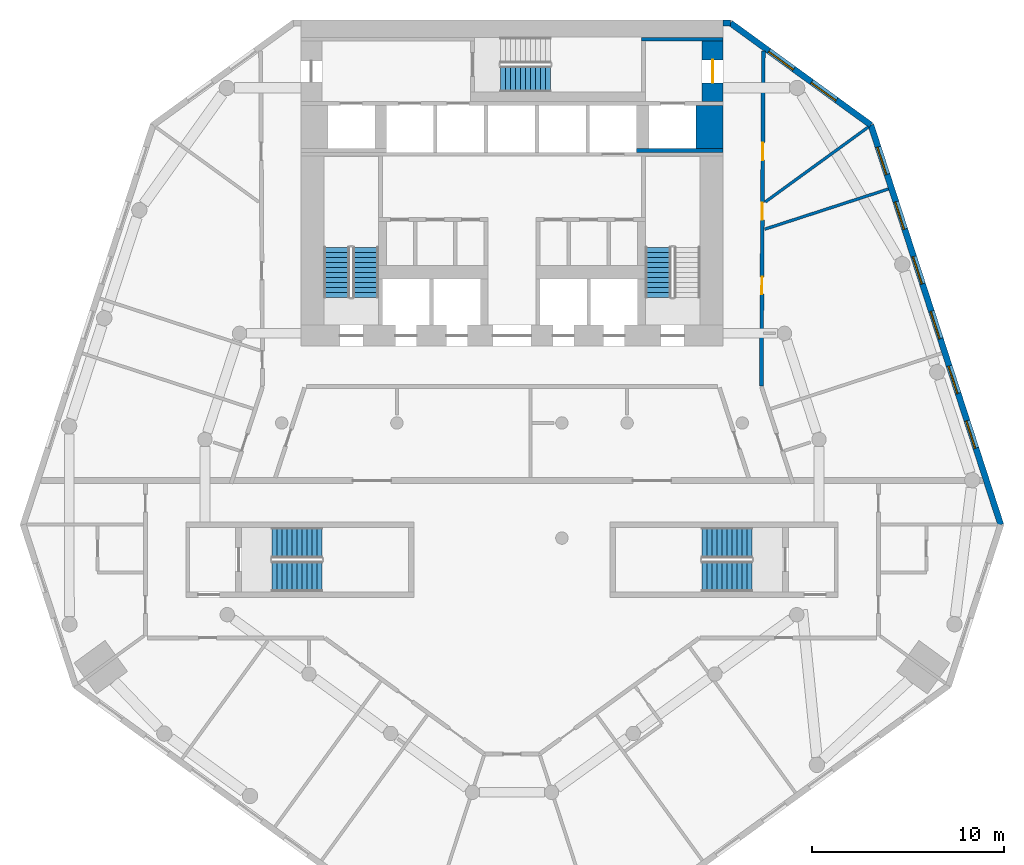
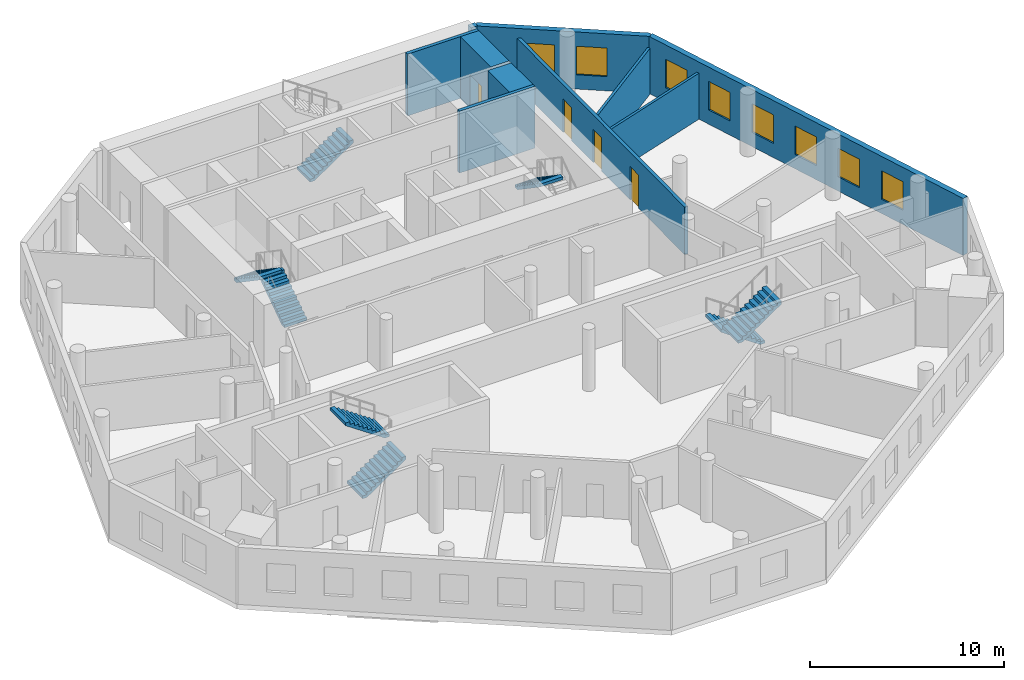
# One storey, part 6 of 9: 10 walls, 8 stair flights, 8 windows, 4 doors, 12 openings, 5 elements without a shape of their own.
"""IFC4 building model written with IfcOpenShell, lengths in metres."""

from ifc_helpers import new_model, si_unit, direction, frame, frame_2d, origin, place, context, subcontext, project, spatial, polyline, rectangle, outline, extrude, material, layer, layer_set, type_object, element, fill, aggregate, save


model = new_model("IFC4")

# Units and contexts
model_context = context("Model", 3, precision=1e-05, world=origin(), true_north=direction((0.0, 1.0)))
body_context = subcontext(model_context, "Body", "Model", "MODEL_VIEW")
ifc_project = project(units=[si_unit("LENGTHUNIT", "METRE"), si_unit("AREAUNIT", "SQUARE_METRE"), si_unit("VOLUMEUNIT", "CUBIC_METRE"), si_unit("PLANEANGLEUNIT", "RADIAN"), si_unit("MASSUNIT", "GRAM", prefix="KILO")], contexts=[model_context])

# Site, building, storey
site_placement = place(None, origin())
site = spatial("IfcSite", under=ifc_project, at=site_placement, CompositionType="ELEMENT")
building_placement = place(site_placement, origin())
building = spatial("IfcBuilding", under=site, at=building_placement, Name="White Candle Pilgrim Tower", CompositionType="ELEMENT")
storey_placement = place(building_placement, frame((0.0, 0.0, 129.800048828125)))
storey = spatial("IfcBuildingStorey", under=building, at=storey_placement, Name="L29", CompositionType="ELEMENT", Elevation=129.800048828125)

# Wall, opening, door
ifc_material_1 = material(Name="Concrete C60/75", Category="concrete")
ifc_layer_1 = layer(ifc_material_1, 1.10009765625)
ifc_layer_set_1 = layer_set([ifc_layer_1], Name="Core wall 1100 mm Concrete C60/75")
wall_type_1 = type_object("IfcWallType", Name="Core wall 1100 mm Concrete C60/75", PredefinedType="SHEAR", material=ifc_layer_set_1)
wall_1_placement = place(storey_placement, frame((80.449951171875, 83.75, 0.0), z_axis=(0.0, 0.0, 1.0), x_axis=(0.0, 1.0, 0.0)))
wall_1 = element("IfcWall", 1, at=wall_1_placement, inside=storey, type_object=wall_type_1, Name="WL-L29-C48", PredefinedType="SHEAR", context=body_context, shape_type="SweptSolid", body=[
    extrude(rectangle(XDim=3.14990234375, YDim=1.10009765625, at=frame_2d((1.574951171875, 0.0))), origin(), (0.0, 0.0, 1.0), 3.89990234375),
])
opening_1_placement = place(wall_1_placement, frame((0.97509765625, 0.0, 0.0)))
opening_1 = element("IfcOpeningElement", 2, at=opening_1_placement, cuts=wall_1, Name="Opening T09-006", PredefinedType="OPENING", context=body_context, shape_type="SweptSolid", body=[
    extrude(rectangle(XDim=1.199951171875, YDim=2.10009765625, at=frame_2d((0.60009765625, 1.050048828125))), frame((0.0, 0.56005859375, 0.0), z_axis=(0.0, -1.0, 0.0), x_axis=(1.0, 0.0, 0.0)), (0.0, 0.0, 1.0), 1.1201171875),
])
ifc_material_2 = material(Name="Steel door leaf", Category="steel")
door_type_1 = type_object("IfcDoorType", Name="Fire door 1200 x 2100 EI 30", OperationType="NOTDEFINED", PredefinedType="DOOR", material=ifc_material_2)
door_1_placement = place(opening_1_placement, origin())
door_1 = element("IfcDoor", 3, at=door_1_placement, inside=storey, type_object=door_type_1, Name="Door T09-006", OperationType="SINGLE_SWING_RIGHT", OverallHeight=2.10009765625, OverallWidth=1.199951171875, PredefinedType="DOOR", context=body_context, shape_type="SweptSolid", body=[
    extrude(rectangle(XDim=1.199951171875, YDim=2.10009765625, at=frame_2d((0.60009765625, 1.050048828125))), frame((0.0, 0.02490234375, 0.0), z_axis=(0.0, -1.0, 0.0), x_axis=(1.0, 0.0, 0.0)), (0.0, 0.0, 1.0), 0.050048828125),
])
fill(opening_1, door_1)

# Walls
ifc_layer_2 = layer(ifc_material_1, 1.39990234375)
ifc_layer_set_2 = layer_set([ifc_layer_2], Name="Core wall 1400 mm Concrete C60/75")
wall_type_2 = type_object("IfcWallType", Name="Core wall 1400 mm Concrete C60/75", PredefinedType="SHEAR", material=ifc_layer_set_2)
wall_2_placement = place(storey_placement, frame((80.300048828125, 81.300048828125, 0.0), z_axis=(0.0, 0.0, 1.0), x_axis=(0.0, 1.0, 0.0)))
element("IfcWall", 4, at=wall_2_placement, inside=storey, type_object=wall_type_2, Name="WL-L29-C44", PredefinedType="SHEAR", context=body_context, shape_type="SweptSolid", body=[
    extrude(rectangle(XDim=2.25, YDim=1.39990234375, at=frame_2d((1.125, 0.0))), origin(), (0.0, 0.0, 1.0), 3.89990234375),
])
ifc_layer_3 = layer(ifc_material_1, 0.199951171875)
ifc_layer_set_3 = layer_set([ifc_layer_3], Name="Core wall 200 mm Concrete C60/75")
wall_type_3 = type_object("IfcWallType", Name="Core wall 200 mm Concrete C60/75", PredefinedType="SHEAR", material=ifc_layer_set_3)
wall_3_placement = place(storey_placement, frame((76.5, 81.199951171875, 0.0), z_axis=(0.0, 0.0, 1.0), x_axis=(1.0, 0.0, 0.0)))
element("IfcWall", 5, at=wall_3_placement, inside=storey, type_object=wall_type_3, Name="WL-L29-C40", PredefinedType="SHEAR", context=body_context, shape_type="SweptSolid", body=[
    extrude(rectangle(XDim=4.5, YDim=0.199951171875, at=frame_2d((2.25, 0.0))), origin(), (0.0, 0.0, 1.0), 3.89990234375),
])

# Wall, openings, doors
ifc_material_3 = material(Name="Gypsum board on steel studs", Category="steel")
ifc_layer_4 = layer(ifc_material_3, 0.199951171875)
ifc_layer_set_4 = layer_set([ifc_layer_4], Name="Corridor wall 200 mm EI 45")
wall_type_4 = type_object("IfcWallType", Name="Corridor wall 200 mm EI 45", PredefinedType="PARTITIONING", material=ifc_layer_set_4)
wall_4_placement = place(storey_placement, frame((83.10009765625, 86.396240234375, 0.0), z_axis=(0.0, 0.0, 1.0), x_axis=(-0.005949698459, -0.999982300387, 0.0)))
wall_4 = element("IfcWall", 6, at=wall_4_placement, inside=storey, type_object=wall_type_4, Name="WL-L29-P004", PredefinedType="PARTITIONING", context=body_context, shape_type="SweptSolid", body=[
    extrude(rectangle(XDim=17.48046875, YDim=0.199951171875, at=frame_2d((8.740234375, 0.0))), origin(), (0.0, 0.0, 1.0), 3.0),
])
opening_2_placement = place(wall_4_placement, frame((4.794189453125, 0.0, 0.0)))
opening_2 = element("IfcOpeningElement", 7, at=opening_2_placement, cuts=wall_4, Name="Opening T09-121", PredefinedType="OPENING", context=body_context, shape_type="SweptSolid", body=[
    extrude(rectangle(XDim=0.89990234375, YDim=2.10009765625, at=frame_2d((0.449951171875, 1.050048828125))), frame((0.0, 0.10986328125, 0.0), z_axis=(0.0, -1.0, 0.0), x_axis=(1.0, 0.0, 0.0)), (0.0, 0.0, 1.0), 0.219970703125),
])
opening_3_placement = place(wall_4_placement, frame((7.916748046875, 0.0, 0.0)))
opening_3 = element("IfcOpeningElement", 8, at=opening_3_placement, cuts=wall_4, Name="Opening T09-122", PredefinedType="OPENING", context=body_context, shape_type="SweptSolid", body=[
    extrude(rectangle(XDim=0.89990234375, YDim=2.10009765625, at=frame_2d((0.449951171875, 1.050048828125))), frame((0.0, 0.10986328125, 0.0), z_axis=(0.0, -1.0, 0.0), x_axis=(1.0, 0.0, 0.0)), (0.0, 0.0, 1.0), 0.219970703125),
])
opening_4_placement = place(wall_4_placement, frame((11.786376953125, 0.0, 0.0)))
opening_4 = element("IfcOpeningElement", 9, at=opening_4_placement, cuts=wall_4, Name="Opening T09-123", PredefinedType="OPENING", context=body_context, shape_type="SweptSolid", body=[
    extrude(rectangle(XDim=0.89990234375, YDim=2.10009765625, at=frame_2d((0.449951171875, 1.050048828125))), frame((0.0, 0.10986328125, 0.0), z_axis=(0.0, -1.0, 0.0), x_axis=(1.0, 0.0, 0.0)), (0.0, 0.0, 1.0), 0.219970703125),
])
door_type_2 = type_object("IfcDoorType", Name="Fire door 900 x 2100 EI 30", OperationType="NOTDEFINED", PredefinedType="DOOR", material=ifc_material_2)
door_2_placement = place(opening_2_placement, origin())
door_2 = element("IfcDoor", 10, at=door_2_placement, inside=storey, type_object=door_type_2, Name="Door T09-121", OperationType="SINGLE_SWING_LEFT", OverallHeight=2.10009765625, OverallWidth=0.89990234375, PredefinedType="DOOR", context=body_context, shape_type="SweptSolid", body=[
    extrude(rectangle(XDim=0.89990234375, YDim=2.10009765625, at=frame_2d((0.449951171875, 1.050048828125))), frame((0.0, 0.02490234375, 0.0), z_axis=(0.0, -1.0, 0.0), x_axis=(1.0, 0.0, 0.0)), (0.0, 0.0, 1.0), 0.050048828125),
])
fill(opening_2, door_2)
door_3_placement = place(opening_3_placement, origin())
door_3 = element("IfcDoor", 11, at=door_3_placement, inside=storey, type_object=door_type_2, Name="Door T09-122", OperationType="SINGLE_SWING_RIGHT", OverallHeight=2.10009765625, OverallWidth=0.89990234375, PredefinedType="DOOR", context=body_context, shape_type="SweptSolid", body=[
    extrude(rectangle(XDim=0.89990234375, YDim=2.10009765625, at=frame_2d((0.449951171875, 1.050048828125))), frame((0.0, 0.02490234375, 0.0), z_axis=(0.0, -1.0, 0.0), x_axis=(1.0, 0.0, 0.0)), (0.0, 0.0, 1.0), 0.050048828125),
])
fill(opening_3, door_3)
door_4_placement = place(opening_4_placement, origin())
door_4 = element("IfcDoor", 12, at=door_4_placement, inside=storey, type_object=door_type_2, Name="Door T09-123", OperationType="SINGLE_SWING_LEFT", OverallHeight=2.10009765625, OverallWidth=0.89990234375, PredefinedType="DOOR", context=body_context, shape_type="SweptSolid", body=[
    extrude(rectangle(XDim=0.89990234375, YDim=2.10009765625, at=frame_2d((0.449951171875, 1.050048828125))), frame((0.0, 0.02490234375, 0.0), z_axis=(0.0, -1.0, 0.0), x_axis=(1.0, 0.0, 0.0)), (0.0, 0.0, 1.0), 0.050048828125),
])
fill(opening_4, door_4)

# Wall, openings, windows
ifc_material_4 = material(Name="Precast concrete C40/50", Category="concrete")
ifc_layer_5 = layer(ifc_material_4, 0.320068359375)
ifc_layer_set_5 = layer_set([ifc_layer_5], Name="Facade wall EW1 precast concrete C40/50 pier wall with timber-lined reveals")
wall_type_5 = type_object("IfcWallType", Name="Facade wall EW1 precast concrete C40/50 pier wall with timber-lined reveals", PredefinedType="SOLIDWALL", material=ifc_layer_set_5)
wall_5_placement = place(storey_placement, frame((95.4716796875, 61.69921875, 0.0), z_axis=(0.0, 0.0, 1.0), x_axis=(-0.309009164157, 0.951059060452, 0.0)))
wall_5 = element("IfcWall", 13, at=wall_5_placement, inside=storey, type_object=wall_type_5, Name="Facade wall L29 ENE", PredefinedType="SOLIDWALL", context=body_context, shape_type="SweptSolid", body=[
    extrude(rectangle(XDim=21.89306640625, YDim=0.320068359375, at=frame_2d((10.946533203125, 0.0))), origin(), (0.0, 0.0, 1.0), 3.599853515625),
])
opening_5_placement = place(wall_5_placement, frame((4.196533203125, 0.0, 0.89990234375)))
opening_5 = element("IfcOpeningElement", 14, at=opening_5_placement, cuts=wall_5, Name="Opening W1", PredefinedType="OPENING", context=body_context, shape_type="SweptSolid", body=[
    extrude(rectangle(XDim=1.5, YDim=1.800048828125, at=frame_2d((0.75, 0.89990234375))), frame((0.0, 0.169921875, 0.0), z_axis=(0.0, -1.0, 0.0), x_axis=(1.0, 0.0, 0.0)), (0.0, 0.0, 1.0), 0.340087890625),
])
opening_6_placement = place(wall_5_placement, frame((7.196533203125, 0.0, 0.89990234375)))
opening_6 = element("IfcOpeningElement", 15, at=opening_6_placement, cuts=wall_5, Name="Opening W1", PredefinedType="OPENING", context=body_context, shape_type="SweptSolid", body=[
    extrude(rectangle(XDim=1.5, YDim=1.800048828125, at=frame_2d((0.75, 0.89990234375))), frame((0.0, 0.169921875, 0.0), z_axis=(0.0, -1.0, 0.0), x_axis=(1.0, 0.0, 0.0)), (0.0, 0.0, 1.0), 0.340087890625),
])
opening_7_placement = place(wall_5_placement, frame((10.196533203125, 0.0, 0.89990234375)))
opening_7 = element("IfcOpeningElement", 16, at=opening_7_placement, cuts=wall_5, Name="Opening W1", PredefinedType="OPENING", context=body_context, shape_type="SweptSolid", body=[
    extrude(rectangle(XDim=1.5, YDim=1.800048828125, at=frame_2d((0.75, 0.89990234375))), frame((0.0, 0.169921875, 0.0), z_axis=(0.0, -1.0, 0.0), x_axis=(1.0, 0.0, 0.0)), (0.0, 0.0, 1.0), 0.340087890625),
])
opening_8_placement = place(wall_5_placement, frame((13.196533203125, 0.0, 0.89990234375)))
opening_8 = element("IfcOpeningElement", 17, at=opening_8_placement, cuts=wall_5, Name="Opening W1", PredefinedType="OPENING", context=body_context, shape_type="SweptSolid", body=[
    extrude(rectangle(XDim=1.5, YDim=1.800048828125, at=frame_2d((0.75, 0.89990234375))), frame((0.0, 0.169921875, 0.0), z_axis=(0.0, -1.0, 0.0), x_axis=(1.0, 0.0, 0.0)), (0.0, 0.0, 1.0), 0.340087890625),
])
opening_9_placement = place(wall_5_placement, frame((16.196533203125, 0.0, 0.89990234375)))
opening_9 = element("IfcOpeningElement", 18, at=opening_9_placement, cuts=wall_5, Name="Opening W1", PredefinedType="OPENING", context=body_context, shape_type="SweptSolid", body=[
    extrude(rectangle(XDim=1.5, YDim=1.800048828125, at=frame_2d((0.75, 0.89990234375))), frame((0.0, 0.169921875, 0.0), z_axis=(0.0, -1.0, 0.0), x_axis=(1.0, 0.0, 0.0)), (0.0, 0.0, 1.0), 0.340087890625),
])
opening_10_placement = place(wall_5_placement, frame((19.196533203125, 0.0, 0.89990234375)))
opening_10 = element("IfcOpeningElement", 19, at=opening_10_placement, cuts=wall_5, Name="Opening W1", PredefinedType="OPENING", context=body_context, shape_type="SweptSolid", body=[
    extrude(rectangle(XDim=1.5, YDim=1.800048828125, at=frame_2d((0.75, 0.89990234375))), frame((0.0, 0.169921875, 0.0), z_axis=(0.0, -1.0, 0.0), x_axis=(1.0, 0.0, 0.0)), (0.0, 0.0, 1.0), 0.340087890625),
])
ifc_material_5 = material(Name="Timber frame with triple glazing", Category="wood")
window_type_1 = type_object("IfcWindowType", Name="Window W1 1500x1800 timber frame triple glazing", PartitioningType="SINGLE_PANEL", PredefinedType="WINDOW", material=ifc_material_5)
window_1_placement = place(opening_5_placement, origin())
window_1 = element("IfcWindow", 20, at=window_1_placement, inside=storey, type_object=window_type_1, Name="Window W1 L29 ENE 2", OverallHeight=1.800048828125, OverallWidth=1.5, PartitioningType="SINGLE_PANEL", PredefinedType="WINDOW", context=body_context, shape_type="SweptSolid", body=[
    extrude(rectangle(XDim=1.5, YDim=1.800048828125, at=frame_2d((0.75, 0.89990234375))), frame((0.0, 0.070068359375, 0.0), z_axis=(0.0, -1.0, 0.0), x_axis=(1.0, 0.0, 0.0)), (0.0, 0.0, 1.0), 0.06005859375),
])
fill(opening_5, window_1)
window_2_placement = place(opening_6_placement, origin())
window_2 = element("IfcWindow", 21, at=window_2_placement, inside=storey, type_object=window_type_1, Name="Window W1 L29 ENE 3", OverallHeight=1.800048828125, OverallWidth=1.5, PartitioningType="SINGLE_PANEL", PredefinedType="WINDOW", context=body_context, shape_type="SweptSolid", body=[
    extrude(rectangle(XDim=1.5, YDim=1.800048828125, at=frame_2d((0.75, 0.89990234375))), frame((0.0, 0.070068359375, 0.0), z_axis=(0.0, -1.0, 0.0), x_axis=(1.0, 0.0, 0.0)), (0.0, 0.0, 1.0), 0.06005859375),
])
fill(opening_6, window_2)
window_3_placement = place(opening_7_placement, origin())
window_3 = element("IfcWindow", 22, at=window_3_placement, inside=storey, type_object=window_type_1, Name="Window W1 L29 ENE 4", OverallHeight=1.800048828125, OverallWidth=1.5, PartitioningType="SINGLE_PANEL", PredefinedType="WINDOW", context=body_context, shape_type="SweptSolid", body=[
    extrude(rectangle(XDim=1.5, YDim=1.800048828125, at=frame_2d((0.75, 0.89990234375))), frame((0.0, 0.070068359375, 0.0), z_axis=(0.0, -1.0, 0.0), x_axis=(1.0, 0.0, 0.0)), (0.0, 0.0, 1.0), 0.06005859375),
])
fill(opening_7, window_3)
window_4_placement = place(opening_8_placement, origin())
window_4 = element("IfcWindow", 23, at=window_4_placement, inside=storey, type_object=window_type_1, Name="Window W1 L29 ENE 5", OverallHeight=1.800048828125, OverallWidth=1.5, PartitioningType="SINGLE_PANEL", PredefinedType="WINDOW", context=body_context, shape_type="SweptSolid", body=[
    extrude(rectangle(XDim=1.5, YDim=1.800048828125, at=frame_2d((0.75, 0.89990234375))), frame((0.0, 0.070068359375, 0.0), z_axis=(0.0, -1.0, 0.0), x_axis=(1.0, 0.0, 0.0)), (0.0, 0.0, 1.0), 0.06005859375),
])
fill(opening_8, window_4)
window_5_placement = place(opening_9_placement, origin())
window_5 = element("IfcWindow", 24, at=window_5_placement, inside=storey, type_object=window_type_1, Name="Window W1 L29 ENE 6", OverallHeight=1.800048828125, OverallWidth=1.5, PartitioningType="SINGLE_PANEL", PredefinedType="WINDOW", context=body_context, shape_type="SweptSolid", body=[
    extrude(rectangle(XDim=1.5, YDim=1.800048828125, at=frame_2d((0.75, 0.89990234375))), frame((0.0, 0.070068359375, 0.0), z_axis=(0.0, -1.0, 0.0), x_axis=(1.0, 0.0, 0.0)), (0.0, 0.0, 1.0), 0.06005859375),
])
fill(opening_9, window_5)
window_6_placement = place(opening_10_placement, origin())
window_6 = element("IfcWindow", 25, at=window_6_placement, inside=storey, type_object=window_type_1, Name="Window W1 L29 ENE 7", OverallHeight=1.800048828125, OverallWidth=1.5, PartitioningType="SINGLE_PANEL", PredefinedType="WINDOW", context=body_context, shape_type="SweptSolid", body=[
    extrude(rectangle(XDim=1.5, YDim=1.800048828125, at=frame_2d((0.75, 0.89990234375))), frame((0.0, 0.070068359375, 0.0), z_axis=(0.0, -1.0, 0.0), x_axis=(1.0, 0.0, 0.0)), (0.0, 0.0, 1.0), 0.06005859375),
])
fill(opening_10, window_6)

wall_6_placement = place(storey_placement, frame((88.70654296875, 82.520751953125, 0.0), z_axis=(0.0, 0.0, 1.0), x_axis=(-0.809020636, 0.587780239993, 0.0)))
wall_6 = element("IfcWall", 26, at=wall_6_placement, inside=storey, type_object=wall_type_5, Name="Facade wall L29 NE chamfer", PredefinedType="SOLIDWALL", context=body_context, shape_type="SweptSolid", body=[
    extrude(rectangle(XDim=9.0498046875, YDim=0.320068359375, at=frame_2d((4.52490234375, 0.0))), origin(), (0.0, 0.0, 1.0), 3.599853515625),
])
opening_11_placement = place(wall_6_placement, frame((2.224853515625, 0.0, 0.89990234375)))
opening_11 = element("IfcOpeningElement", 27, at=opening_11_placement, cuts=wall_6, Name="Opening W2", PredefinedType="OPENING", context=body_context, shape_type="SweptSolid", body=[
    extrude(rectangle(XDim=1.60009765625, YDim=1.800048828125, at=frame_2d((0.800048828125, 0.89990234375))), frame((0.0, 0.169921875, 0.0), z_axis=(0.0, -1.0, 0.0), x_axis=(1.0, 0.0, 0.0)), (0.0, 0.0, 1.0), 0.340087890625),
])
opening_12_placement = place(wall_6_placement, frame((4.974853515625, 0.0, 0.89990234375)))
opening_12 = element("IfcOpeningElement", 28, at=opening_12_placement, cuts=wall_6, Name="Opening W2", PredefinedType="OPENING", context=body_context, shape_type="SweptSolid", body=[
    extrude(rectangle(XDim=1.60009765625, YDim=1.800048828125, at=frame_2d((0.800048828125, 0.89990234375))), frame((0.0, 0.169921875, 0.0), z_axis=(0.0, -1.0, 0.0), x_axis=(1.0, 0.0, 0.0)), (0.0, 0.0, 1.0), 0.340087890625),
])
window_type_2 = type_object("IfcWindowType", Name="Window W2 1600x1800 timber frame triple glazing", PartitioningType="SINGLE_PANEL", PredefinedType="WINDOW", material=ifc_material_5)
window_7_placement = place(opening_11_placement, origin())
window_7 = element("IfcWindow", 29, at=window_7_placement, inside=storey, type_object=window_type_2, Name="Window W2 L29 NE chamfer 1", OverallHeight=1.800048828125, OverallWidth=1.60009765625, PartitioningType="SINGLE_PANEL", PredefinedType="WINDOW", context=body_context, shape_type="SweptSolid", body=[
    extrude(rectangle(XDim=1.60009765625, YDim=1.800048828125, at=frame_2d((0.800048828125, 0.89990234375))), frame((0.0, 0.070068359375, 0.0), z_axis=(0.0, -1.0, 0.0), x_axis=(1.0, 0.0, 0.0)), (0.0, 0.0, 1.0), 0.06005859375),
])
fill(opening_11, window_7)
window_8_placement = place(opening_12_placement, origin())
window_8 = element("IfcWindow", 30, at=window_8_placement, inside=storey, type_object=window_type_2, Name="Window W2 L29 NE chamfer 2", OverallHeight=1.800048828125, OverallWidth=1.60009765625, PartitioningType="SINGLE_PANEL", PredefinedType="WINDOW", context=body_context, shape_type="SweptSolid", body=[
    extrude(rectangle(XDim=1.60009765625, YDim=1.800048828125, at=frame_2d((0.800048828125, 0.89990234375))), frame((0.0, 0.070068359375, 0.0), z_axis=(0.0, -1.0, 0.0), x_axis=(1.0, 0.0, 0.0)), (0.0, 0.0, 1.0), 0.06005859375),
])
fill(opening_12, window_8)

# Walls
wall_7_placement = place(storey_placement, frame((81.385009765625, 87.840087890625, 0.0), z_axis=(0.0, 0.0, 1.0), x_axis=(-1.0, 0.0, 0.0)))
element("IfcWall", 31, at=wall_7_placement, inside=storey, type_object=wall_type_5, Name="Facade wall L29 N", PredefinedType="SOLIDWALL", context=body_context, shape_type="SweptSolid", body=[
    extrude(rectangle(XDim=0.385009765625, YDim=0.320068359375, at=frame_2d((0.1923828125, 0.0))), origin(), (0.0, 0.0, 1.0), 3.599853515625),
])
ifc_layer_6 = layer(ifc_material_3, 0.14990234375)
ifc_layer_set_6 = layer_set([ifc_layer_6], Name="Partition 150 mm EI 60")
wall_type_6 = type_object("IfcWallType", Name="Partition 150 mm EI 60", PredefinedType="PARTITIONING", material=ifc_layer_set_6)
wall_8_placement = place(storey_placement, frame((88.5703125, 82.421875, 0.0), z_axis=(0.0, 0.0, 1.0), x_axis=(-0.809017368716, -0.587784737056, 0.0)))
element("IfcWall", 32, at=wall_8_placement, inside=storey, type_object=wall_type_6, Name="WL-L29-P023", PredefinedType="PARTITIONING", context=body_context, shape_type="SweptSolid", body=[
    extrude(rectangle(XDim=6.64111328125, YDim=0.14990234375, at=frame_2d((3.320556640625, 0.0))), origin(), (0.0, 0.0, 1.0), 2.89990234375),
])
wall_9_placement = place(storey_placement, frame((89.619384765625, 79.193359375, 0.0), z_axis=(0.0, 0.0, 1.0), x_axis=(-0.951063688423, -0.308994919963, 0.0)))
element("IfcWall", 33, at=wall_9_placement, inside=storey, type_object=wall_type_6, Name="WL-L29-P038", PredefinedType="PARTITIONING", context=body_context, shape_type="SweptSolid", body=[
    extrude(rectangle(XDim=6.783203125, YDim=0.14990234375, at=frame_2d((3.3916015625, 0.0))), origin(), (0.0, 0.0, 1.0), 2.89990234375),
])
ifc_layer_7 = layer(ifc_material_1, 0.199951171875)
ifc_layer_set_7 = layer_set([ifc_layer_7], Name="Stair shaft wall 200 mm Concrete C60/75")
wall_type_7 = type_object("IfcWallType", Name="Stair shaft wall 200 mm Concrete C60/75", PredefinedType="SHEAR", material=ifc_layer_set_7)
wall_10_placement = place(storey_placement, frame((76.75, 87.0, 0.0), z_axis=(0.0, 0.0, 1.0), x_axis=(1.0, 0.0, 0.0)))
element("IfcWall", 34, at=wall_10_placement, inside=storey, type_object=wall_type_7, Name="WL-L29-C52", PredefinedType="SHEAR", context=body_context, shape_type="SweptSolid", body=[
    extrude(rectangle(XDim=4.25, YDim=0.199951171875, at=frame_2d((2.125, 0.0))), origin(), (0.0, 0.0, 1.0), 3.89990234375),
])

# Stair, stair flights
ifc_material_6 = material(Name="Concrete C40/50", Category="concrete")
stair_type_1 = type_object("IfcStairType", Name="Exit stair 1 flight width 1350 mm", PredefinedType="HALF_TURN_STAIR", material=ifc_material_6)
stair_1_placement = place(storey_placement, origin())
stair_1 = element("IfcStair", 35, at=stair_1_placement, inside=storey, type_object=stair_type_1, Name="L29 stair 1", PredefinedType="NOTDEFINED")
ifc_layer_8 = layer(ifc_material_6, 0.14990234375)
ifc_layer_set_8 = layer_set([ifc_layer_8], Name="Stair flight Concrete C40/50")
stair_flight_type = type_object("IfcStairFlightType", Name="Stair flight Concrete C40/50", PredefinedType="STRAIGHT", material=ifc_layer_set_8)
stair_flight_1_placement = place(storey_placement, frame((62.375, 73.550048828125, 0.0), z_axis=(0.0, 0.0, 1.0), x_axis=(0.0, 1.0, 0.0)))
stair_flight_1 = element("IfcStairFlight", 36, at=stair_flight_1_placement, type_object=stair_flight_type, Name="ST1 flight 1", NumberOfRisers=11, NumberOfTreads=10, PredefinedType="NOTDEFINED", RiserHeight=0.177272727, TreadLength=0.26, context=body_context, shape_type="SweptSolid", body=[
    extrude(outline(polyline([(0.0, 0.0), (0.0, 0.17724609375), (0.260009765625, 0.17724609375), (0.260009765625, 0.3544921875), (0.52001953125, 0.3544921875), (0.52001953125, 0.53173828125), (0.780029296875, 0.53173828125), (0.780029296875, 0.708984375), (1.0400390625, 0.708984375), (1.0400390625, 0.886474609375), (1.300048828125, 0.886474609375), (1.300048828125, 1.063720703125), (1.56005859375, 1.063720703125), (1.56005859375, 1.240966796875), (1.820068359375, 1.240966796875), (1.820068359375, 1.418212890625), (2.080078125, 1.418212890625), (2.080078125, 1.595458984375), (2.340087890625, 1.595458984375), (2.340087890625, 1.772705078125), (2.60009765625, 1.772705078125), (2.60009765625, 1.949951171875), (2.60009765625, 1.59130859375), (0.26611328125, 0.0), (0.0, 0.0)])), frame((0.0, 0.675048828125, 0.0), z_axis=(0.0, -1.0, 0.0), x_axis=(1.0, 0.0, 0.0)), (0.0, 0.0, 1.0), 1.35009765625),
])
stair_flight_2_placement = place(storey_placement, frame((60.875, 76.14990234375, 1.949951171875), z_axis=(0.0, 0.0, 1.0), x_axis=(0.0, -1.0, 0.0)))
stair_flight_2 = element("IfcStairFlight", 37, at=stair_flight_2_placement, type_object=stair_flight_type, Name="ST1 flight 2", NumberOfRisers=11, NumberOfTreads=10, PredefinedType="NOTDEFINED", RiserHeight=0.177272727, TreadLength=0.26, context=body_context, shape_type="SweptSolid", body=[
    extrude(outline(polyline([(0.0, 0.0), (0.0, 0.17724609375), (0.260009765625, 0.17724609375), (0.260009765625, 0.3544921875), (0.52001953125, 0.3544921875), (0.52001953125, 0.53173828125), (0.780029296875, 0.53173828125), (0.780029296875, 0.708984375), (1.0400390625, 0.708984375), (1.0400390625, 0.886474609375), (1.300048828125, 0.886474609375), (1.300048828125, 1.063720703125), (1.56005859375, 1.063720703125), (1.56005859375, 1.240966796875), (1.820068359375, 1.240966796875), (1.820068359375, 1.418212890625), (2.080078125, 1.418212890625), (2.080078125, 1.595458984375), (2.340087890625, 1.595458984375), (2.340087890625, 1.772705078125), (2.60009765625, 1.772705078125), (2.60009765625, 1.949951171875), (2.60009765625, 1.59130859375), (0.26611328125, 0.0), (0.0, 0.0)])), frame((0.0, 0.675048828125, 0.0), z_axis=(0.0, -1.0, 0.0), x_axis=(1.0, 0.0, 0.0)), (0.0, 0.0, 1.0), 1.35009765625),
])
aggregate(stair_1, [stair_flight_1, stair_flight_2])

# Stair, stair flight
stair_type_2 = type_object("IfcStairType", Name="Exit stair 2 flight width 1350 mm", PredefinedType="HALF_TURN_STAIR", material=ifc_material_6)
stair_2_placement = place(storey_placement, origin())
stair_2 = element("IfcStair", 38, at=stair_2_placement, inside=storey, type_object=stair_type_2, Name="L29 stair 2", PredefinedType="NOTDEFINED")
stair_flight_3_placement = place(storey_placement, frame((77.625, 76.14990234375, 1.949951171875), z_axis=(0.0, 0.0, 1.0), x_axis=(0.0, -1.0, 0.0)))
stair_flight_3 = element("IfcStairFlight", 39, at=stair_flight_3_placement, type_object=stair_flight_type, Name="ST2 flight 2", NumberOfRisers=11, NumberOfTreads=10, PredefinedType="NOTDEFINED", RiserHeight=0.177272727, TreadLength=0.26, context=body_context, shape_type="SweptSolid", body=[
    extrude(outline(polyline([(0.0, 0.0), (0.0, 0.17724609375), (0.260009765625, 0.17724609375), (0.260009765625, 0.3544921875), (0.52001953125, 0.3544921875), (0.52001953125, 0.53173828125), (0.780029296875, 0.53173828125), (0.780029296875, 0.708984375), (1.0400390625, 0.708984375), (1.0400390625, 0.886474609375), (1.300048828125, 0.886474609375), (1.300048828125, 1.063720703125), (1.56005859375, 1.063720703125), (1.56005859375, 1.240966796875), (1.820068359375, 1.240966796875), (1.820068359375, 1.418212890625), (2.080078125, 1.418212890625), (2.080078125, 1.595458984375), (2.340087890625, 1.595458984375), (2.340087890625, 1.772705078125), (2.60009765625, 1.772705078125), (2.60009765625, 1.949951171875), (2.60009765625, 1.59130859375), (0.26611328125, 0.0), (0.0, 0.0)])), frame((0.0, 0.675048828125, 0.0), z_axis=(0.0, -1.0, 0.0), x_axis=(1.0, 0.0, 0.0)), (0.0, 0.0, 1.0), 1.35009765625),
])
aggregate(stair_2, [stair_flight_3])

stair_type_3 = type_object("IfcStairType", Name="Exit stair 3 flight width 1350 mm", PredefinedType="HALF_TURN_STAIR", material=ifc_material_6)
stair_3_placement = place(storey_placement, origin())
stair_3 = element("IfcStair", 40, at=stair_3_placement, inside=storey, type_object=stair_type_3, Name="L29 stair 3", PredefinedType="NOTDEFINED")
stair_flight_4_placement = place(storey_placement, frame((69.39990234375, 84.925048828125, 0.0), z_axis=(0.0, 0.0, 1.0), x_axis=(1.0, 0.0, 0.0)))
stair_flight_4 = element("IfcStairFlight", 41, at=stair_flight_4_placement, type_object=stair_flight_type, Name="ST3 flight 1", NumberOfRisers=11, NumberOfTreads=10, PredefinedType="NOTDEFINED", RiserHeight=0.177272727, TreadLength=0.26, context=body_context, shape_type="SweptSolid", body=[
    extrude(outline(polyline([(0.0, 0.0), (0.0, 0.17724609375), (0.260009765625, 0.17724609375), (0.260009765625, 0.3544921875), (0.52001953125, 0.3544921875), (0.52001953125, 0.53173828125), (0.780029296875, 0.53173828125), (0.780029296875, 0.708984375), (1.0400390625, 0.708984375), (1.0400390625, 0.886474609375), (1.300048828125, 0.886474609375), (1.300048828125, 1.063720703125), (1.56005859375, 1.063720703125), (1.56005859375, 1.240966796875), (1.820068359375, 1.240966796875), (1.820068359375, 1.418212890625), (2.080078125, 1.418212890625), (2.080078125, 1.595458984375), (2.340087890625, 1.595458984375), (2.340087890625, 1.772705078125), (2.60009765625, 1.772705078125), (2.60009765625, 1.949951171875), (2.60009765625, 1.59130859375), (0.26611328125, 0.0), (0.0, 0.0)])), frame((0.0, 0.675048828125, 0.0), z_axis=(0.0, -1.0, 0.0), x_axis=(1.0, 0.0, 0.0)), (0.0, 0.0, 1.0), 1.35009765625),
])
aggregate(stair_3, [stair_flight_4])

# Stair, stair flights
stair_type_4 = type_object("IfcStairType", Name="Exit stair 4 flight width 1600 mm", PredefinedType="HALF_TURN_STAIR", material=ifc_material_6)
stair_4_placement = place(storey_placement, origin())
stair_4 = element("IfcStair", 42, at=stair_4_placement, inside=storey, type_object=stair_type_4, Name="L29 stair 4", PredefinedType="NOTDEFINED")
stair_flight_5_placement = place(storey_placement, frame((82.5, 60.75, 0.0), z_axis=(0.0, 0.0, 1.0), x_axis=(-1.0, 0.0, 0.0)))
stair_flight_5 = element("IfcStairFlight", 43, at=stair_flight_5_placement, type_object=stair_flight_type, Name="ST4 flight 1", NumberOfRisers=11, NumberOfTreads=10, PredefinedType="NOTDEFINED", RiserHeight=0.177272727, TreadLength=0.26, context=body_context, shape_type="SweptSolid", body=[
    extrude(outline(polyline([(0.0, 0.0), (0.0, 0.17724609375), (0.260009765625, 0.17724609375), (0.260009765625, 0.3544921875), (0.52001953125, 0.3544921875), (0.52001953125, 0.53173828125), (0.780029296875, 0.53173828125), (0.780029296875, 0.708984375), (1.0400390625, 0.708984375), (1.0400390625, 0.886474609375), (1.300048828125, 0.886474609375), (1.300048828125, 1.063720703125), (1.56005859375, 1.063720703125), (1.56005859375, 1.240966796875), (1.820068359375, 1.240966796875), (1.820068359375, 1.418212890625), (2.080078125, 1.418212890625), (2.080078125, 1.595458984375), (2.340087890625, 1.595458984375), (2.340087890625, 1.772705078125), (2.60009765625, 1.772705078125), (2.60009765625, 1.949951171875), (2.60009765625, 1.59130859375), (0.26611328125, 0.0), (0.0, 0.0)])), frame((0.0, 0.800048828125, 0.0), z_axis=(0.0, -1.0, 0.0), x_axis=(1.0, 0.0, 0.0)), (0.0, 0.0, 1.0), 1.60009765625),
])
stair_flight_6_placement = place(storey_placement, frame((79.89990234375, 59.0, 1.949951171875), z_axis=(0.0, 0.0, 1.0), x_axis=(1.0, 0.0, 0.0)))
stair_flight_6 = element("IfcStairFlight", 44, at=stair_flight_6_placement, type_object=stair_flight_type, Name="ST4 flight 2", NumberOfRisers=11, NumberOfTreads=10, PredefinedType="NOTDEFINED", RiserHeight=0.177272727, TreadLength=0.26, context=body_context, shape_type="SweptSolid", body=[
    extrude(outline(polyline([(0.0, 0.0), (0.0, 0.17724609375), (0.260009765625, 0.17724609375), (0.260009765625, 0.3544921875), (0.52001953125, 0.3544921875), (0.52001953125, 0.53173828125), (0.780029296875, 0.53173828125), (0.780029296875, 0.708984375), (1.0400390625, 0.708984375), (1.0400390625, 0.886474609375), (1.300048828125, 0.886474609375), (1.300048828125, 1.063720703125), (1.56005859375, 1.063720703125), (1.56005859375, 1.240966796875), (1.820068359375, 1.240966796875), (1.820068359375, 1.418212890625), (2.080078125, 1.418212890625), (2.080078125, 1.595458984375), (2.340087890625, 1.595458984375), (2.340087890625, 1.772705078125), (2.60009765625, 1.772705078125), (2.60009765625, 1.949951171875), (2.60009765625, 1.59130859375), (0.26611328125, 0.0), (0.0, 0.0)])), frame((0.0, 0.800048828125, 0.0), z_axis=(0.0, -1.0, 0.0), x_axis=(1.0, 0.0, 0.0)), (0.0, 0.0, 1.0), 1.60009765625),
])
aggregate(stair_4, [stair_flight_5, stair_flight_6])

stair_type_5 = type_object("IfcStairType", Name="Exit stair 5 flight width 1600 mm", PredefinedType="HALF_TURN_STAIR", material=ifc_material_6)
stair_5_placement = place(storey_placement, origin())
stair_5 = element("IfcStair", 45, at=stair_5_placement, inside=storey, type_object=stair_type_5, Name="L29 stair 5", PredefinedType="NOTDEFINED")
stair_flight_7_placement = place(storey_placement, frame((57.5, 59.0, 0.0), z_axis=(0.0, 0.0, 1.0), x_axis=(1.0, 0.0, 0.0)))
stair_flight_7 = element("IfcStairFlight", 46, at=stair_flight_7_placement, type_object=stair_flight_type, Name="ST5 flight 1", NumberOfRisers=11, NumberOfTreads=10, PredefinedType="NOTDEFINED", RiserHeight=0.177272727, TreadLength=0.26, context=body_context, shape_type="SweptSolid", body=[
    extrude(outline(polyline([(0.0, 0.0), (0.0, 0.17724609375), (0.260009765625, 0.17724609375), (0.260009765625, 0.3544921875), (0.52001953125, 0.3544921875), (0.52001953125, 0.53173828125), (0.780029296875, 0.53173828125), (0.780029296875, 0.708984375), (1.0400390625, 0.708984375), (1.0400390625, 0.886474609375), (1.300048828125, 0.886474609375), (1.300048828125, 1.063720703125), (1.56005859375, 1.063720703125), (1.56005859375, 1.240966796875), (1.820068359375, 1.240966796875), (1.820068359375, 1.418212890625), (2.080078125, 1.418212890625), (2.080078125, 1.595458984375), (2.340087890625, 1.595458984375), (2.340087890625, 1.772705078125), (2.60009765625, 1.772705078125), (2.60009765625, 1.949951171875), (2.60009765625, 1.59130859375), (0.26611328125, 0.0), (0.0, 0.0)])), frame((0.0, 0.800048828125, 0.0), z_axis=(0.0, -1.0, 0.0), x_axis=(1.0, 0.0, 0.0)), (0.0, 0.0, 1.0), 1.60009765625),
])
stair_flight_8_placement = place(storey_placement, frame((60.10009765625, 60.75, 1.949951171875), z_axis=(0.0, 0.0, 1.0), x_axis=(-1.0, 0.0, 0.0)))
stair_flight_8 = element("IfcStairFlight", 47, at=stair_flight_8_placement, type_object=stair_flight_type, Name="ST5 flight 2", NumberOfRisers=11, NumberOfTreads=10, PredefinedType="NOTDEFINED", RiserHeight=0.177272727, TreadLength=0.26, context=body_context, shape_type="SweptSolid", body=[
    extrude(outline(polyline([(0.0, 0.0), (0.0, 0.17724609375), (0.260009765625, 0.17724609375), (0.260009765625, 0.3544921875), (0.52001953125, 0.3544921875), (0.52001953125, 0.53173828125), (0.780029296875, 0.53173828125), (0.780029296875, 0.708984375), (1.0400390625, 0.708984375), (1.0400390625, 0.886474609375), (1.300048828125, 0.886474609375), (1.300048828125, 1.063720703125), (1.56005859375, 1.063720703125), (1.56005859375, 1.240966796875), (1.820068359375, 1.240966796875), (1.820068359375, 1.418212890625), (2.080078125, 1.418212890625), (2.080078125, 1.595458984375), (2.340087890625, 1.595458984375), (2.340087890625, 1.772705078125), (2.60009765625, 1.772705078125), (2.60009765625, 1.949951171875), (2.60009765625, 1.59130859375), (0.26611328125, 0.0), (0.0, 0.0)])), frame((0.0, 0.800048828125, 0.0), z_axis=(0.0, -1.0, 0.0), x_axis=(1.0, 0.0, 0.0)), (0.0, 0.0, 1.0), 1.60009765625),
])
aggregate(stair_5, [stair_flight_7, stair_flight_8])

save(model, "model.ifc")
